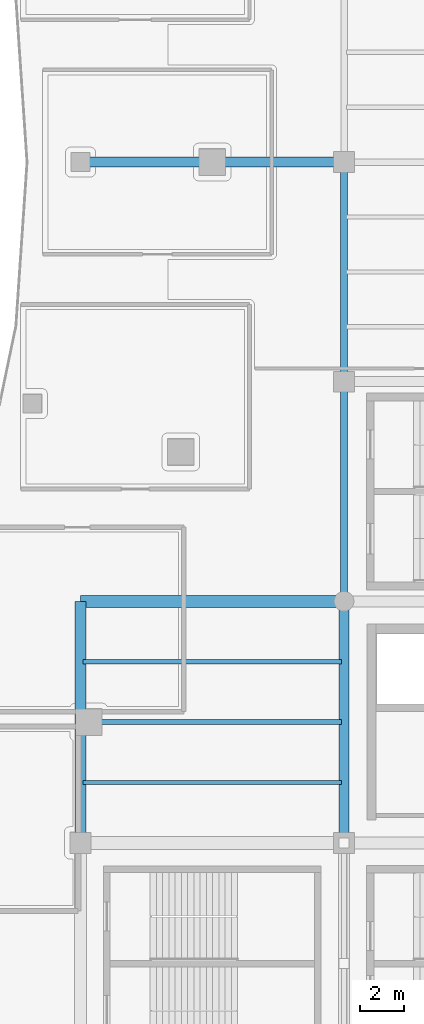
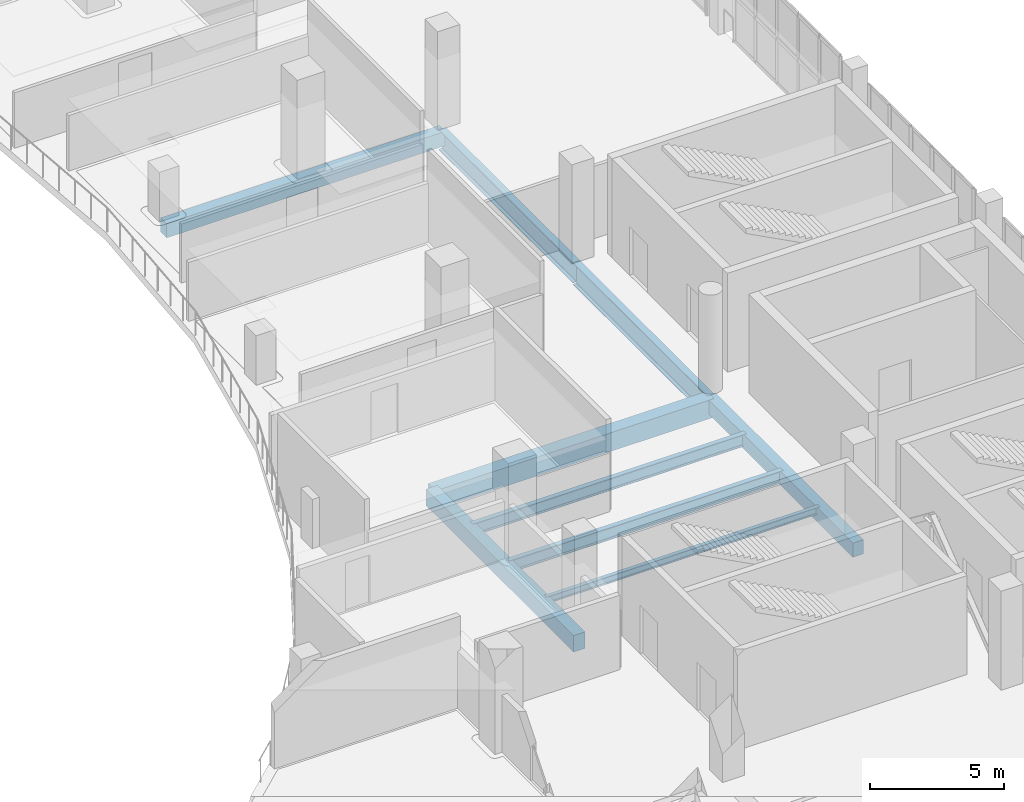
# One storey, part 36 of 90: 9 beams.
"""IFC4 building model written with IfcOpenShell, lengths in metres."""

import ifcopenshell
import ifcopenshell.guid

model = None  # the IFC model being written
_history = None  # IfcOwnerHistory: only IFC2X3 demands one
_inside = {}  # id of a spatial element -> (the spatial element, [elements in it])
_under = {}  # id of a project, library or spatial element -> (it, [spatial elements below it])
_declared = {}  # id of a project -> (the project, [libraries it declares])
_typed = {}  # id of a type object -> (the type object, [elements of that type])
_made_of = {}  # id of a material, layer set ... -> (it, [elements and type objects made of it])


def new_model(schema):
    """Start an empty IFC model of exactly this schema.

    Asked for "IFC4X3", IfcOpenShell would pick the latest addendum, in which some entities
    have other attributes; the version numbers below select the first issue.
    IFC2X3 requires an IfcOwnerHistory on every rooted entity: one is made here for all.
    """
    global model, _history
    if schema == "IFC4X3":
        model = ifcopenshell.file(schema_version=(4, 3, 0, 0))
    else:
        model = ifcopenshell.file(schema=schema)
    _inside.clear()
    _under.clear()
    _declared.clear()
    _typed.clear()
    _made_of.clear()
    _history = None
    if model.schema == "IFC2X3":
        org = make("IfcOrganization", Name="unknown")
        user = make(
            "IfcPersonAndOrganization",
            ThePerson=make("IfcPerson", FamilyName="unknown"),
            TheOrganization=org,
        )
        app = make(
            "IfcApplication",
            ApplicationDeveloper=org,
            Version="unknown",
            ApplicationFullName="unknown",
            ApplicationIdentifier="unknown",
        )
        _history = make(
            "IfcOwnerHistory",
            OwningUser=user,
            OwningApplication=app,
            ChangeAction="ADDED",
            CreationDate=0,
        )
    return model


def make(cls, **values):
    """One entity of the class cls with the attributes given. An attribute that is None is left unset."""
    return model.create_entity(
        cls, **{name: value for name, value in values.items() if value is not None}
    )


def rooted(cls, **values):
    """An entity with a GlobalId (a new one), such as an element, a storey or a relation."""
    return make(cls, GlobalId=ifcopenshell.guid.new(), OwnerHistory=_history, **values)


def si_unit(unit_type, name, prefix=None):
    """IfcSIUnit, for example si_unit("LENGTHUNIT", "METRE", prefix="MILLI")."""
    return make("IfcSIUnit", UnitType=unit_type, Prefix=prefix, Name=name)


def assignment(units):
    """IfcUnitAssignment: the units of a project."""
    return None if units is None else make("IfcUnitAssignment", Units=units)


def point(xyz):
    """IfcCartesianPoint."""
    return None if xyz is None else make("IfcCartesianPoint", Coordinates=xyz)


def direction(xyz):
    """IfcDirection."""
    return None if xyz is None else make("IfcDirection", DirectionRatios=xyz)


def frame(location, z_axis=None, x_axis=None):
    """IfcAxis2Placement3D, a coordinate frame: its origin and axes. An axis left out is left unset."""
    return make(
        "IfcAxis2Placement3D",
        Location=point(location),
        Axis=direction(z_axis),
        RefDirection=direction(x_axis),
    )


def frame_2d(location, x_axis=None):
    """IfcAxis2Placement2D, a coordinate frame in the plane: its origin and x axis."""
    return make(
        "IfcAxis2Placement2D", Location=point(location), RefDirection=direction(x_axis)
    )


def origin():
    """The frame at (0, 0, 0) with its axes left unset."""
    return frame((0.0, 0.0, 0.0))


def origin_2d():
    """The frame at (0, 0) in the plane with its x axis left unset."""
    return frame_2d((0.0, 0.0))


def place(relative_to, where):
    """IfcLocalPlacement: puts the frame where relative to a parent placement (None: the world)."""
    return make(
        "IfcLocalPlacement", PlacementRelTo=relative_to, RelativePlacement=where
    )


def context(
    kind, dimensions, precision=None, world=None, true_north=None, identifier=None
):
    """IfcGeometricRepresentationContext, for example the 3D "Model" context."""
    return make(
        "IfcGeometricRepresentationContext",
        ContextIdentifier=identifier,
        ContextType=kind,
        CoordinateSpaceDimension=dimensions,
        Precision=precision,
        WorldCoordinateSystem=world,
        TrueNorth=true_north,
    )


def subcontext(parent, identifier, kind, view, scale=None):
    """IfcGeometricRepresentationSubContext, for example "Body" below "Model"."""
    return make(
        "IfcGeometricRepresentationSubContext",
        ContextIdentifier=identifier,
        ContextType=kind,
        ParentContext=parent,
        TargetScale=scale,
        TargetView=view,
    )


def project(units=None, contexts=None):
    """IfcProject with its units and contexts."""
    return rooted(
        "IfcProject",
        Name="project",
        RepresentationContexts=contexts,
        UnitsInContext=assignment(units),
    )


def spatial(cls, under=None, at=None, **own):
    """A site, building, storey or space (cls), placed at a placement, below another one or the project."""
    s = rooted(cls, ObjectPlacement=at, **own)
    if under is not None:
        _under.setdefault(under.id(), (under, []))[1].append(s)
    return s


def profile(cls, at=None, kind="AREA", **sizes):
    """A parametric profile (cls). Its sizes go by their IFC names, for example OverallWidth=200.0."""
    return make(cls, ProfileType=kind, Position=at, **sizes)


def rectangle(**sizes):
    """IfcRectangleProfileDef."""
    return profile("IfcRectangleProfileDef", **sizes)


def i_section(**sizes):
    """IfcIShapeProfileDef."""
    return profile("IfcIShapeProfileDef", **sizes)


def extrude(swept, where, along, depth):
    """IfcExtrudedAreaSolid: the profile swept, set in the frame where, extruded along a direction by depth."""
    return make(
        "IfcExtrudedAreaSolid",
        SweptArea=swept,
        Position=where,
        ExtrudedDirection=direction(along),
        Depth=depth,
    )


def shape(context_of_items, identifier, shape_type, items):
    """IfcShapeRepresentation: the items that make up one representation, for example the "Body"."""
    return make(
        "IfcShapeRepresentation",
        ContextOfItems=context_of_items,
        RepresentationIdentifier=identifier,
        RepresentationType=shape_type,
        Items=items,
    )


def material(Name=None, Category=None):
    """IfcMaterial."""
    return make("IfcMaterial", Name=Name, Category=Category)


def material_profile(
    of_material, cross_section, Name=None, Category=None, Priority=None
):
    """IfcMaterialProfile: a cross section and its material."""
    return make(
        "IfcMaterialProfile",
        Name=Name,
        Material=of_material,
        Profile=cross_section,
        Priority=Priority,
        Category=Category,
    )


def profile_set(profiles, Name=None, composite=None):
    """IfcMaterialProfileSet."""
    return make(
        "IfcMaterialProfileSet",
        Name=Name,
        MaterialProfiles=profiles,
        CompositeProfile=composite,
    )


def made_of(thing, what):
    """Note that an element or type object is made of a material, layer set ...; save() writes the relation."""
    if what is not None:
        _made_of.setdefault(what.id(), (what, []))[1].append(thing)
    return thing


def type_object(cls, material=None, **own):
    """A type object (cls), such as IfcWallType, which elements share."""
    return made_of(rooted(cls, **own), material)


def element(
    cls,
    number,
    at=None,
    inside=None,
    cuts=None,
    type_object=None,
    material=None,
    context=None,
    identifier="Body",
    shape_type=None,
    held_by="IfcProductDefinitionShape",
    body=None,
    shapes=None,
    **own,
):
    """One element of the class cls, such as IfcWall. Its Tag is "e" and its number.

    at: its placement. inside: the storey or other place that contains it. cuts: it is an
    opening in that element (IfcRelVoidsElement). A single representation is given by context,
    identifier, shape_type and body (its items); several are given by shapes. held_by: the class
    of the entity that holds the representations. save() writes the other relations.
    """
    e = rooted(cls, Tag="e%d" % number, ObjectPlacement=at, **own)
    if body is not None:
        shapes = [shape(context, identifier, shape_type, body)]
    if shapes is not None:
        e.Representation = make(held_by, Representations=shapes)
    if inside is not None:
        _inside.setdefault(inside.id(), (inside, []))[1].append(e)
    if cuts is not None:
        rooted(
            "IfcRelVoidsElement", RelatingBuildingElement=cuts, RelatedOpeningElement=e
        )
    if type_object is not None:
        _typed.setdefault(type_object.id(), (type_object, []))[1].append(e)
    return made_of(e, material)


def aggregate(whole, parts):
    """IfcRelAggregates: a whole, such as a stair, and the parts it consists of."""
    return rooted("IfcRelAggregates", RelatingObject=whole, RelatedObjects=parts)


def save(model, path):
    """Write the relations noted so far, then the file.

    IfcRelAggregates (storeys below a building ...), IfcRelContainedInSpatialStructure (elements
    in a storey), IfcRelDefinesByType, IfcRelAssociatesMaterial and IfcRelDeclares: one each for
    every whole, place, type object, material and project.
    """
    for whole, parts in _under.values():
        aggregate(whole, parts)
    for where, things in _inside.values():
        rooted(
            "IfcRelContainedInSpatialStructure",
            RelatedElements=things,
            RelatingStructure=where,
        )
    for kind, things in _typed.values():
        rooted("IfcRelDefinesByType", RelatedObjects=things, RelatingType=kind)
    for what, things in _made_of.values():
        rooted("IfcRelAssociatesMaterial", RelatedObjects=things, RelatingMaterial=what)
    for by, libraries in _declared.values():
        rooted("IfcRelDeclares", RelatingContext=by, RelatedDefinitions=libraries)
    model.write(path)


model = new_model("IFC4")

# Units and contexts
model_context = context("Model", 3, precision=1e-05, world=origin(), true_north=direction((0.0, 1.0)))
body_context = subcontext(model_context, "Body", "Model", "MODEL_VIEW")
ifc_project = project(units=[si_unit("LENGTHUNIT", "METRE"), si_unit("AREAUNIT", "SQUARE_METRE"), si_unit("VOLUMEUNIT", "CUBIC_METRE"), si_unit("PLANEANGLEUNIT", "RADIAN"), si_unit("MASSUNIT", "GRAM", prefix="KILO")], contexts=[model_context])

# Site, building, storey
site_placement = place(None, origin())
site = spatial("IfcSite", under=ifc_project, at=site_placement, CompositionType="ELEMENT")
building_placement = place(site_placement, origin())
building = spatial("IfcBuilding", under=site, at=building_placement, Name="Brinegate Civic Arena", CompositionType="ELEMENT")
storey_placement = place(building_placement, frame((0.0, 0.0, 14.699951171875)))
storey = spatial("IfcBuildingStorey", under=building, at=storey_placement, Name="L03", CompositionType="ELEMENT", Elevation=14.699951171875)

# Beams
ifc_material_1 = material(Name="Steel S355", Category="steel")
ifc_material_profile_1 = material_profile(ifc_material_1, i_section(OverallWidth=0.300048828125, OverallDepth=1.0, WebThickness=0.01904296875, FlangeThickness=0.031982421875, FilletRadius=0.02392578125, at=origin_2d()), Name="W1000X321")
ifc_profile_set_1 = profile_set([ifc_material_profile_1], Name="Steel S355")
beam_type_1 = type_object("IfcBeamType", Name="GIRDER-W1000X321", PredefinedType="BEAM", material=ifc_profile_set_1)
beam_1_placement = place(storey_placement, frame((156.0, 42.0, -0.849853515625), z_axis=(0.0, 1.0, 0.0), x_axis=(-1.0, 0.0, 0.0)))
element("IfcBeam", 1, at=beam_1_placement, inside=storey, type_object=beam_type_1, Name="Floor Girder BM-L03-GY-13-04", PredefinedType="BEAM", context=body_context, shape_type="SweptSolid", body=[
    extrude(i_section(OverallWidth=0.300048828125, OverallDepth=1.0, WebThickness=0.01904296875, FlangeThickness=0.031982421875, FilletRadius=0.02392578125, at=origin_2d()), origin(), (0.0, 0.0, 1.0), 10.0),
])
ifc_material_profile_2 = material_profile(ifc_material_1, i_section(OverallWidth=0.30810546875, OverallDepth=0.927001953125, WebThickness=0.01904296875, FlangeThickness=0.031982421875, FilletRadius=0.02392578125, at=origin_2d()), Name="W920X289")
ifc_profile_set_2 = profile_set([ifc_material_profile_2], Name="Steel S355")
beam_type_2 = type_object("IfcBeamType", Name="GIRDER-W920X289", PredefinedType="BEAM", material=ifc_profile_set_2)
beam_2_placement = place(storey_placement, frame((156.0, 52.0, -0.81298828125), z_axis=(0.0, 1.0, 0.0), x_axis=(-1.0, 0.0, 0.0)))
element("IfcBeam", 2, at=beam_2_placement, inside=storey, type_object=beam_type_2, Name="Floor Girder BM-L03-GY-13-05", PredefinedType="BEAM", context=body_context, shape_type="SweptSolid", body=[
    extrude(i_section(OverallWidth=0.30810546875, OverallDepth=0.927001953125, WebThickness=0.01904296875, FlangeThickness=0.031982421875, FilletRadius=0.02392578125, at=origin_2d()), origin(), (0.0, 0.0, 1.0), 10.0),
])
ifc_material_profile_3 = material_profile(ifc_material_1, i_section(OverallWidth=0.1669921875, OverallDepth=0.31689453125, WebThickness=0.008056640625, FlangeThickness=0.012939453125, FilletRadius=0.012939453125, at=origin_2d()), Name="W310X52")
ifc_profile_set_3 = profile_set([ifc_material_profile_3], Name="Steel S355")
beam_type_3 = type_object("IfcBeamType", Name="JOIST-W310X52", PredefinedType="JOIST", material=ifc_profile_set_3)
beam_3_placement = place(storey_placement, frame((144.10595703125, 33.75, -0.508056640625), z_axis=(1.0, 0.0, 0.0), x_axis=(0.0, 1.0, 0.0)))
element("IfcBeam", 3, at=beam_3_placement, inside=storey, type_object=beam_type_3, Name="Secondary Joist BM-L03-JX-12-03-1", PredefinedType="JOIST", context=body_context, shape_type="SweptSolid", body=[
    extrude(i_section(OverallWidth=0.1669921875, OverallDepth=0.31689453125, WebThickness=0.008056640625, FlangeThickness=0.012939453125, FilletRadius=0.012939453125, at=origin_2d()), origin(), (0.0, 0.0, 1.0), 11.7880859375),
])
ifc_material_profile_4 = material_profile(ifc_material_1, i_section(OverallWidth=0.2109375, OverallDepth=0.5390625, WebThickness=0.011962890625, FlangeThickness=0.01904296875, FilletRadius=0.01611328125, at=origin_2d()), Name="W530X109")
ifc_profile_set_4 = profile_set([ifc_material_profile_4], Name="Steel S355")
beam_type_4 = type_object("IfcBeamType", Name="JOIST-W530X109", PredefinedType="JOIST", material=ifc_profile_set_4)
beam_4_placement = place(storey_placement, frame((144.10595703125, 39.25, -0.618896484375), z_axis=(1.0, 0.0, 0.0), x_axis=(0.0, 1.0, 0.0)))
element("IfcBeam", 4, at=beam_4_placement, inside=storey, type_object=beam_type_4, Name="Secondary Joist BM-L03-JX-12-03-3", PredefinedType="JOIST", context=body_context, shape_type="SweptSolid", body=[
    extrude(i_section(OverallWidth=0.2109375, OverallDepth=0.5390625, WebThickness=0.011962890625, FlangeThickness=0.01904296875, FilletRadius=0.01611328125, at=origin_2d()), origin(), (0.0, 0.0, 1.0), 11.7880859375),
])
ifc_material_profile_5 = material_profile(ifc_material_1, i_section(OverallWidth=0.214111328125, OverallDepth=0.549072265625, WebThickness=0.014892578125, FlangeThickness=0.02392578125, FilletRadius=0.01611328125, at=origin_2d()), Name="W530X138")
ifc_profile_set_5 = profile_set([ifc_material_profile_5], Name="Steel S355")
beam_type_5 = type_object("IfcBeamType", Name="JOIST-W530X138", PredefinedType="JOIST", material=ifc_profile_set_5)
beam_5_placement = place(storey_placement, frame((144.10595703125, 36.5, -0.6240234375), z_axis=(1.0, 0.0, 0.0), x_axis=(0.0, 1.0, 0.0)))
element("IfcBeam", 5, at=beam_5_placement, inside=storey, type_object=beam_type_5, Name="Secondary Joist BM-L03-JX-12-03-2", PredefinedType="JOIST", context=body_context, shape_type="SweptSolid", body=[
    extrude(i_section(OverallWidth=0.214111328125, OverallDepth=0.549072265625, WebThickness=0.014892578125, FlangeThickness=0.02392578125, FilletRadius=0.01611328125, at=origin_2d()), origin(), (0.0, 0.0, 1.0), 11.7880859375),
])
ifc_material_2 = material(Name="Concrete C50/60", Category="concrete")
ifc_material_profile_6 = material_profile(ifc_material_2, rectangle(XDim=0.449951171875, YDim=0.64990234375, at=origin_2d()), Name="RCB450X650")
ifc_profile_set_6 = profile_set([ifc_material_profile_6], Name="Concrete C50/60")
beam_type_6 = type_object("IfcBeamType", Name="RCG-450X650", PredefinedType="BEAM", material=ifc_profile_set_6)
beam_6_placement = place(storey_placement, frame((144.0, 62.0, -0.675048828125), z_axis=(1.0, 0.0, 0.0), x_axis=(0.0, 1.0, 0.0)))
element("IfcBeam", 6, at=beam_6_placement, inside=storey, type_object=beam_type_6, Name="Floor Girder BM-L03-GX-12-06", PredefinedType="BEAM", context=body_context, shape_type="SweptSolid", body=[
    extrude(rectangle(XDim=0.449951171875, YDim=0.64990234375, at=origin_2d()), origin(), (0.0, 0.0, 1.0), 12.0),
])
beam_7_placement = place(storey_placement, frame((156.0, 31.0, -0.675048828125), z_axis=(0.0, 1.0, 0.0), x_axis=(-1.0, 0.0, 0.0)))
element("IfcBeam", 7, at=beam_7_placement, inside=storey, type_object=beam_type_6, Name="Floor Girder BM-L03-GY-13-03", PredefinedType="BEAM", context=body_context, shape_type="SweptSolid", body=[
    extrude(rectangle(XDim=0.449951171875, YDim=0.64990234375, at=origin_2d()), origin(), (0.0, 0.0, 1.0), 11.0),
])
ifc_material_profile_7 = material_profile(ifc_material_2, rectangle(XDim=0.5, YDim=0.75, at=origin_2d()), Name="RCB500X750")
ifc_profile_set_7 = profile_set([ifc_material_profile_7], Name="Concrete C50/60")
beam_type_7 = type_object("IfcBeamType", Name="RCG-500X750", PredefinedType="BEAM", material=ifc_profile_set_7)
beam_8_placement = place(storey_placement, frame((144.0, 31.0, -0.724853515625), z_axis=(0.0, 1.0, 0.0), x_axis=(-1.0, 0.0, 0.0)))
element("IfcBeam", 8, at=beam_8_placement, inside=storey, type_object=beam_type_7, Name="Floor Girder BM-L03-GY-12-03", PredefinedType="BEAM", context=body_context, shape_type="SweptSolid", body=[
    extrude(rectangle(XDim=0.5, YDim=0.75, at=origin_2d()), origin(), (0.0, 0.0, 1.0), 11.0),
])
ifc_material_profile_8 = material_profile(ifc_material_2, rectangle(XDim=0.550048828125, YDim=0.85009765625, at=origin_2d()), Name="RCB550X850")
ifc_profile_set_8 = profile_set([ifc_material_profile_8], Name="Concrete C50/60")
beam_type_8 = type_object("IfcBeamType", Name="RCG-550X850", PredefinedType="BEAM", material=ifc_profile_set_8)
beam_9_placement = place(storey_placement, frame((144.0, 42.0, -0.77490234375), z_axis=(1.0, 0.0, 0.0), x_axis=(0.0, 1.0, 0.0)))
element("IfcBeam", 9, at=beam_9_placement, inside=storey, type_object=beam_type_8, Name="Floor Girder BM-L03-GX-12-04", PredefinedType="BEAM", context=body_context, shape_type="SweptSolid", body=[
    extrude(rectangle(XDim=0.550048828125, YDim=0.85009765625, at=origin_2d()), origin(), (0.0, 0.0, 1.0), 12.0),
])

save(model, "model.ifc")
